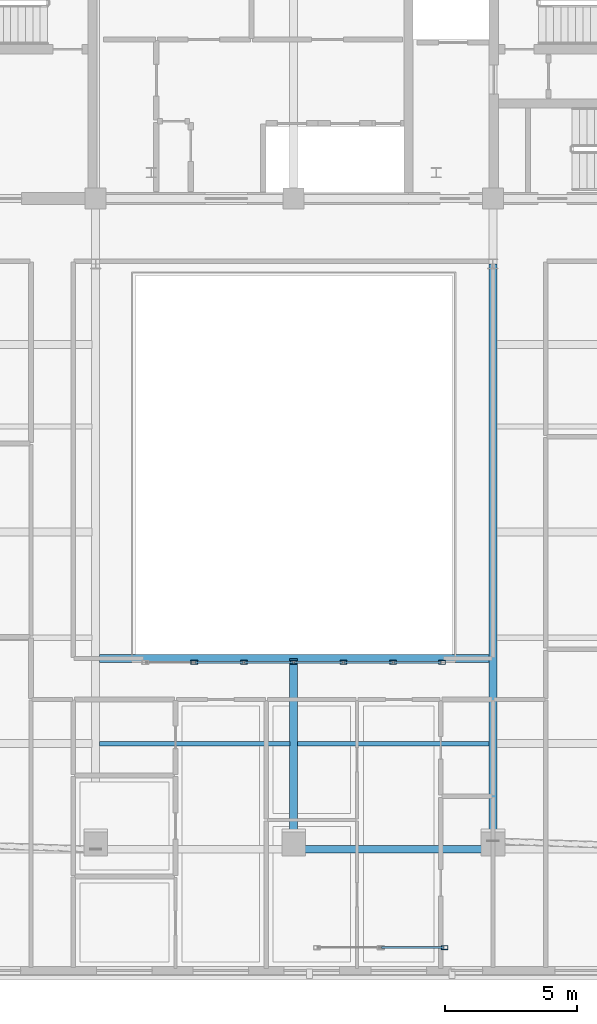
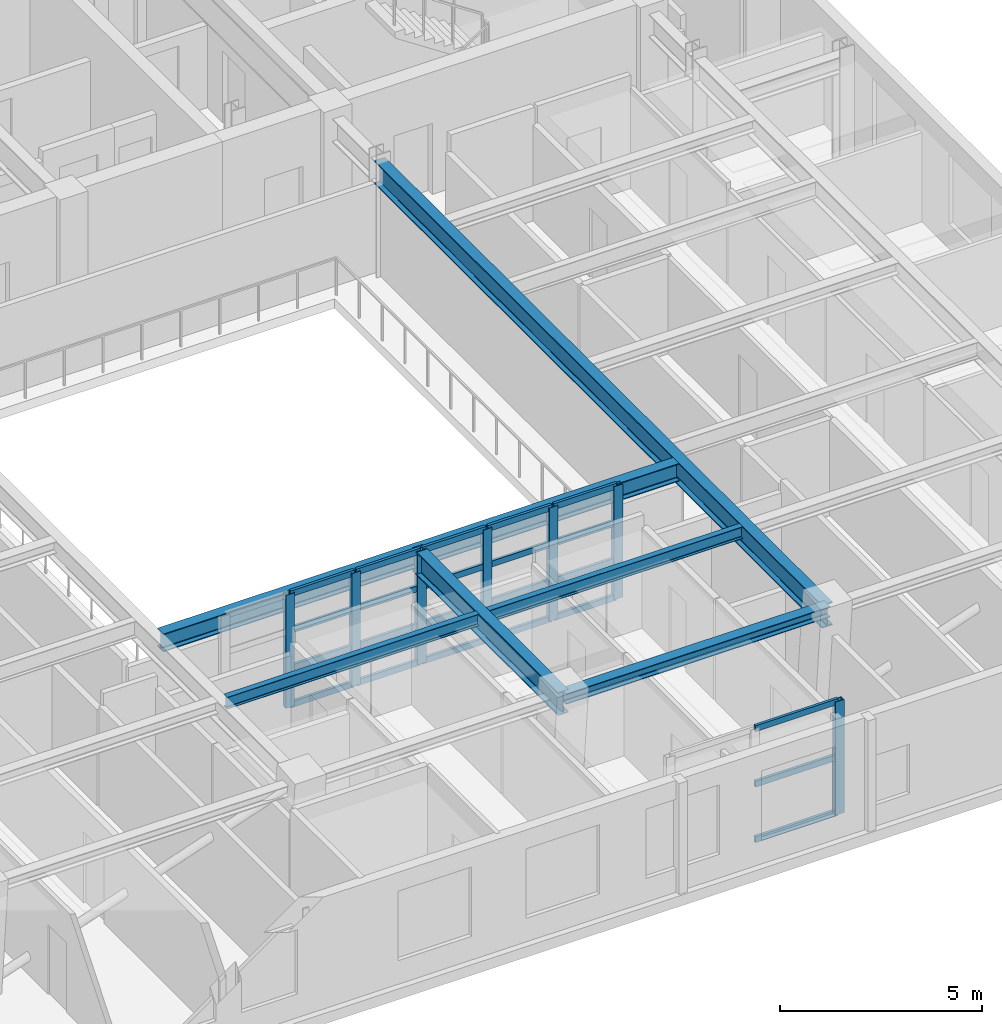
# One storey, part 3 of 14: 30 members, 6 beams, 2 elements without a shape of their own.
"""IFC4 building model written with IfcOpenShell, lengths in metres."""

from ifc_helpers import new_model, si_unit, direction, frame, origin, origin_2d, place, context, subcontext, project, spatial, hollow_rectangle, i_section, extrude, material, layer, layer_set, material_profile, profile_set, type_object, element, aggregate, save


model = new_model("IFC4")

# Units and contexts
model_context = context("Model", 3, precision=1e-05, world=origin(), true_north=direction((0.0, 1.0)))
body_context = subcontext(model_context, "Body", "Model", "MODEL_VIEW")
ifc_project = project(units=[si_unit("LENGTHUNIT", "METRE"), si_unit("AREAUNIT", "SQUARE_METRE"), si_unit("VOLUMEUNIT", "CUBIC_METRE"), si_unit("PLANEANGLEUNIT", "RADIAN"), si_unit("MASSUNIT", "GRAM", prefix="KILO")], contexts=[model_context])

# Site, building, storey
site_placement = place(None, origin())
site = spatial("IfcSite", under=ifc_project, at=site_placement, CompositionType="ELEMENT")
building_placement = place(site_placement, origin())
building = spatial("IfcBuilding", under=site, at=building_placement, Name="Zarnavel Station Tower", CompositionType="ELEMENT")
storey_placement = place(building_placement, frame((0.0, 0.0, 251.0)))
storey = spatial("IfcBuildingStorey", under=building, at=storey_placement, Name="L68", CompositionType="ELEMENT", Elevation=251.0)

# Curtain wall, member
ifc_material_1 = material(Name="Aluminium Dark Anodised and Solar-Control Glass", Category="aluminium")
ifc_layer = layer(ifc_material_1, 0.179931640625)
ifc_layer_set = layer_set([ifc_layer], Name="CWS6")
curtain_wall_type = type_object("IfcCurtainWallType", Name="CWS6", PredefinedType="NOTDEFINED", material=ifc_layer_set)
curtain_wall_1_placement = place(storey_placement, origin())
curtain_wall_1 = element("IfcCurtainWall", 1, at=curtain_wall_1_placement, inside=storey, type_object=curtain_wall_type, Name="L68 Curtain Wall CWS6-LOG-L68", PredefinedType="NOTDEFINED")
ifc_material_2 = material(Name="Steel S355J2 (Black Fluoropolymer Coated)", Category="steel")
ifc_material_profile_1 = material_profile(ifc_material_2, hollow_rectangle(XDim=0.14990234375, YDim=0.25, WallThickness=0.010009765625, at=origin_2d()), Name="RHS250x150x10")
ifc_profile_set_1 = profile_set([ifc_material_profile_1], Name="Steel S355J2 (Black Fluoropolymer Coated)")
member_type_1 = type_object("IfcMemberType", Name="CWS6_MUL", PredefinedType="MULLION", material=ifc_profile_set_1)
member_1_placement = place(storey_placement, frame((34.52001953125, -0.550048828125, 0.0), z_axis=(0.0, 0.0, 1.0), x_axis=(0.0, 1.0, 0.0)))
member_1 = element("IfcMember", 2, at=member_1_placement, type_object=member_type_1, Name="CW6 mullion 3", PredefinedType="MULLION", context=body_context, shape_type="SweptSolid", body=[
    extrude(hollow_rectangle(XDim=0.14990234375, YDim=0.25, WallThickness=0.010009765625, at=origin_2d()), origin(), (0.0, 0.0, 1.0), 3.419921875),
])

# Curtain wall, members
curtain_wall_2_placement = place(storey_placement, origin())
curtain_wall_2 = element("IfcCurtainWall", 3, at=curtain_wall_2_placement, inside=storey, type_object=curtain_wall_type, Name="L68 Curtain Wall CWS6-L68-AS", PredefinedType="NOTDEFINED")
member_2_placement = place(storey_placement, frame((25.033447265625, 10.25, 0.0), z_axis=(0.0, 0.0, 1.0), x_axis=(0.0, 1.0, 0.0)))
member_2 = element("IfcMember", 4, at=member_2_placement, type_object=member_type_1, Name="CW6 mullion 2", PredefinedType="MULLION", context=body_context, shape_type="SweptSolid", body=[
    extrude(hollow_rectangle(XDim=0.14990234375, YDim=0.25, WallThickness=0.010009765625, at=origin_2d()), origin(), (0.0, 0.0, 1.0), 3.419921875),
])
member_3_placement = place(storey_placement, frame((26.916748046875, 10.25, 0.0), z_axis=(0.0, 0.0, 1.0), x_axis=(0.0, 1.0, 0.0)))
member_3 = element("IfcMember", 5, at=member_3_placement, type_object=member_type_1, Name="CW6 mullion 3", PredefinedType="MULLION", context=body_context, shape_type="SweptSolid", body=[
    extrude(hollow_rectangle(XDim=0.14990234375, YDim=0.25, WallThickness=0.010009765625, at=origin_2d()), origin(), (0.0, 0.0, 1.0), 3.419921875),
])
member_4_placement = place(storey_placement, frame((28.800048828125, 10.25, 0.0), z_axis=(0.0, 0.0, 1.0), x_axis=(0.0, 1.0, 0.0)))
member_4 = element("IfcMember", 6, at=member_4_placement, type_object=member_type_1, Name="CW6 mullion 4", PredefinedType="MULLION", context=body_context, shape_type="SweptSolid", body=[
    extrude(hollow_rectangle(XDim=0.14990234375, YDim=0.25, WallThickness=0.010009765625, at=origin_2d()), origin(), (0.0, 0.0, 1.0), 3.419921875),
])
member_5_placement = place(storey_placement, frame((30.683349609375, 10.25, 0.0), z_axis=(0.0, 0.0, 1.0), x_axis=(0.0, 1.0, 0.0)))
member_5 = element("IfcMember", 7, at=member_5_placement, type_object=member_type_1, Name="CW6 mullion 5", PredefinedType="MULLION", context=body_context, shape_type="SweptSolid", body=[
    extrude(hollow_rectangle(XDim=0.14990234375, YDim=0.25, WallThickness=0.010009765625, at=origin_2d()), origin(), (0.0, 0.0, 1.0), 3.419921875),
])
member_6_placement = place(storey_placement, frame((32.566650390625, 10.25, 0.0), z_axis=(0.0, 0.0, 1.0), x_axis=(0.0, 1.0, 0.0)))
member_6 = element("IfcMember", 8, at=member_6_placement, type_object=member_type_1, Name="CW6 mullion 6", PredefinedType="MULLION", context=body_context, shape_type="SweptSolid", body=[
    extrude(hollow_rectangle(XDim=0.14990234375, YDim=0.25, WallThickness=0.010009765625, at=origin_2d()), origin(), (0.0, 0.0, 1.0), 3.419921875),
])
member_7_placement = place(storey_placement, frame((34.419921875, 10.25, 0.0), z_axis=(0.0, 0.0, 1.0), x_axis=(0.0, 1.0, 0.0)))
member_7 = element("IfcMember", 9, at=member_7_placement, type_object=member_type_1, Name="CW6 mullion 7", PredefinedType="MULLION", context=body_context, shape_type="SweptSolid", body=[
    extrude(hollow_rectangle(XDim=0.14990234375, YDim=0.25, WallThickness=0.010009765625, at=origin_2d()), origin(), (0.0, 0.0, 1.0), 3.419921875),
])

# Member
ifc_material_3 = material(Name="Steel S355J2 (Black Fluoropolymer Coated)", Category="steel")
ifc_material_profile_2 = material_profile(ifc_material_3, hollow_rectangle(XDim=0.080078125, YDim=0.179931640625, WallThickness=0.00634765625, at=origin_2d()), Name="RHS180x80x6.3")
ifc_profile_set_2 = profile_set([ifc_material_profile_2], Name="Steel S355J2 (Black Fluoropolymer Coated)")
member_type_2 = type_object("IfcMemberType", Name="CWS6_TRN", PredefinedType="USERDEFINED", material=ifc_profile_set_2)
member_8_placement = place(storey_placement, frame((32.1298828125, -0.550048828125, 0.030029296875), z_axis=(1.0, 0.0, 0.0), x_axis=(0.0, 1.0, 0.0)))
member_8 = element("IfcMember", 10, at=member_8_placement, type_object=member_type_2, Name="CW6 transom 2.1", ObjectType="TRANSOM", PredefinedType="USERDEFINED", context=body_context, shape_type="SweptSolid", body=[
    extrude(hollow_rectangle(XDim=0.080078125, YDim=0.179931640625, WallThickness=0.00634765625, at=origin_2d()), origin(), (0.0, 0.0, 1.0), 2.360107421875),
])

member_9_placement = place(storey_placement, frame((32.1298828125, -0.550048828125, 1.7099609375), z_axis=(1.0, 0.0, 0.0), x_axis=(0.0, 1.0, 0.0)))
member_9 = element("IfcMember", 11, at=member_9_placement, type_object=member_type_2, Name="CW6 transom 2.2", ObjectType="TRANSOM", PredefinedType="USERDEFINED", context=body_context, shape_type="SweptSolid", body=[
    extrude(hollow_rectangle(XDim=0.080078125, YDim=0.179931640625, WallThickness=0.00634765625, at=origin_2d()), origin(), (0.0, 0.0, 1.0), 2.360107421875),
])

member_10_placement = place(storey_placement, frame((32.1298828125, -0.550048828125, 3.389892578125), z_axis=(1.0, 0.0, 0.0), x_axis=(0.0, 1.0, 0.0)))
member_10 = element("IfcMember", 12, at=member_10_placement, type_object=member_type_2, Name="CW6 transom 2.3", ObjectType="TRANSOM", PredefinedType="USERDEFINED", context=body_context, shape_type="SweptSolid", body=[
    extrude(hollow_rectangle(XDim=0.080078125, YDim=0.179931640625, WallThickness=0.00634765625, at=origin_2d()), origin(), (0.0, 0.0, 1.0), 2.360107421875),
])

aggregate(curtain_wall_1, [member_1, member_8, member_9, member_10])

member_11_placement = place(storey_placement, frame((25.063232421875, 10.25, 0.030029296875), z_axis=(1.0, 0.0, 0.0), x_axis=(0.0, 1.0, 0.0)))
member_11 = element("IfcMember", 13, at=member_11_placement, type_object=member_type_2, Name="CW6 transom 2.1", ObjectType="TRANSOM", PredefinedType="USERDEFINED", context=body_context, shape_type="SweptSolid", body=[
    extrude(hollow_rectangle(XDim=0.080078125, YDim=0.179931640625, WallThickness=0.00634765625, at=origin_2d()), origin(), (0.0, 0.0, 1.0), 1.823486328125),
])

member_12_placement = place(storey_placement, frame((25.063232421875, 10.25, 1.139892578125), z_axis=(1.0, 0.0, 0.0), x_axis=(0.0, 1.0, 0.0)))
member_12 = element("IfcMember", 14, at=member_12_placement, type_object=member_type_2, Name="CW6 transom 2.2", ObjectType="TRANSOM", PredefinedType="USERDEFINED", context=body_context, shape_type="SweptSolid", body=[
    extrude(hollow_rectangle(XDim=0.080078125, YDim=0.179931640625, WallThickness=0.00634765625, at=origin_2d()), origin(), (0.0, 0.0, 1.0), 1.823486328125),
])

member_13_placement = place(storey_placement, frame((25.063232421875, 10.25, 2.280029296875), z_axis=(1.0, 0.0, 0.0), x_axis=(0.0, 1.0, 0.0)))
member_13 = element("IfcMember", 15, at=member_13_placement, type_object=member_type_2, Name="CW6 transom 2.3", ObjectType="TRANSOM", PredefinedType="USERDEFINED", context=body_context, shape_type="SweptSolid", body=[
    extrude(hollow_rectangle(XDim=0.080078125, YDim=0.179931640625, WallThickness=0.00634765625, at=origin_2d()), origin(), (0.0, 0.0, 1.0), 1.823486328125),
])

member_14_placement = place(storey_placement, frame((25.063232421875, 10.25, 3.389892578125), z_axis=(1.0, 0.0, 0.0), x_axis=(0.0, 1.0, 0.0)))
member_14 = element("IfcMember", 16, at=member_14_placement, type_object=member_type_2, Name="CW6 transom 2.4", ObjectType="TRANSOM", PredefinedType="USERDEFINED", context=body_context, shape_type="SweptSolid", body=[
    extrude(hollow_rectangle(XDim=0.080078125, YDim=0.179931640625, WallThickness=0.00634765625, at=origin_2d()), origin(), (0.0, 0.0, 1.0), 1.823486328125),
])

member_15_placement = place(storey_placement, frame((26.94677734375, 10.25, 0.030029296875), z_axis=(1.0, 0.0, 0.0), x_axis=(0.0, 1.0, 0.0)))
member_15 = element("IfcMember", 17, at=member_15_placement, type_object=member_type_2, Name="CW6 transom 3.1", ObjectType="TRANSOM", PredefinedType="USERDEFINED", context=body_context, shape_type="SweptSolid", body=[
    extrude(hollow_rectangle(XDim=0.080078125, YDim=0.179931640625, WallThickness=0.00634765625, at=origin_2d()), origin(), (0.0, 0.0, 1.0), 1.8232421875),
])

member_16_placement = place(storey_placement, frame((26.94677734375, 10.25, 1.139892578125), z_axis=(1.0, 0.0, 0.0), x_axis=(0.0, 1.0, 0.0)))
member_16 = element("IfcMember", 18, at=member_16_placement, type_object=member_type_2, Name="CW6 transom 3.2", ObjectType="TRANSOM", PredefinedType="USERDEFINED", context=body_context, shape_type="SweptSolid", body=[
    extrude(hollow_rectangle(XDim=0.080078125, YDim=0.179931640625, WallThickness=0.00634765625, at=origin_2d()), origin(), (0.0, 0.0, 1.0), 1.8232421875),
])

member_17_placement = place(storey_placement, frame((26.94677734375, 10.25, 2.280029296875), z_axis=(1.0, 0.0, 0.0), x_axis=(0.0, 1.0, 0.0)))
member_17 = element("IfcMember", 19, at=member_17_placement, type_object=member_type_2, Name="CW6 transom 3.3", ObjectType="TRANSOM", PredefinedType="USERDEFINED", context=body_context, shape_type="SweptSolid", body=[
    extrude(hollow_rectangle(XDim=0.080078125, YDim=0.179931640625, WallThickness=0.00634765625, at=origin_2d()), origin(), (0.0, 0.0, 1.0), 1.8232421875),
])

member_18_placement = place(storey_placement, frame((26.94677734375, 10.25, 3.389892578125), z_axis=(1.0, 0.0, 0.0), x_axis=(0.0, 1.0, 0.0)))
member_18 = element("IfcMember", 20, at=member_18_placement, type_object=member_type_2, Name="CW6 transom 3.4", ObjectType="TRANSOM", PredefinedType="USERDEFINED", context=body_context, shape_type="SweptSolid", body=[
    extrude(hollow_rectangle(XDim=0.080078125, YDim=0.179931640625, WallThickness=0.00634765625, at=origin_2d()), origin(), (0.0, 0.0, 1.0), 1.8232421875),
])

member_19_placement = place(storey_placement, frame((28.830078125, 10.25, 0.030029296875), z_axis=(1.0, 0.0, 0.0), x_axis=(0.0, 1.0, 0.0)))
member_19 = element("IfcMember", 21, at=member_19_placement, type_object=member_type_2, Name="CW6 transom 4.1", ObjectType="TRANSOM", PredefinedType="USERDEFINED", context=body_context, shape_type="SweptSolid", body=[
    extrude(hollow_rectangle(XDim=0.080078125, YDim=0.179931640625, WallThickness=0.00634765625, at=origin_2d()), origin(), (0.0, 0.0, 1.0), 1.8232421875),
])

member_20_placement = place(storey_placement, frame((28.830078125, 10.25, 1.139892578125), z_axis=(1.0, 0.0, 0.0), x_axis=(0.0, 1.0, 0.0)))
member_20 = element("IfcMember", 22, at=member_20_placement, type_object=member_type_2, Name="CW6 transom 4.2", ObjectType="TRANSOM", PredefinedType="USERDEFINED", context=body_context, shape_type="SweptSolid", body=[
    extrude(hollow_rectangle(XDim=0.080078125, YDim=0.179931640625, WallThickness=0.00634765625, at=origin_2d()), origin(), (0.0, 0.0, 1.0), 1.8232421875),
])

member_21_placement = place(storey_placement, frame((28.830078125, 10.25, 2.280029296875), z_axis=(1.0, 0.0, 0.0), x_axis=(0.0, 1.0, 0.0)))
member_21 = element("IfcMember", 23, at=member_21_placement, type_object=member_type_2, Name="CW6 transom 4.3", ObjectType="TRANSOM", PredefinedType="USERDEFINED", context=body_context, shape_type="SweptSolid", body=[
    extrude(hollow_rectangle(XDim=0.080078125, YDim=0.179931640625, WallThickness=0.00634765625, at=origin_2d()), origin(), (0.0, 0.0, 1.0), 1.8232421875),
])

member_22_placement = place(storey_placement, frame((28.830078125, 10.25, 3.389892578125), z_axis=(1.0, 0.0, 0.0), x_axis=(0.0, 1.0, 0.0)))
member_22 = element("IfcMember", 24, at=member_22_placement, type_object=member_type_2, Name="CW6 transom 4.4", ObjectType="TRANSOM", PredefinedType="USERDEFINED", context=body_context, shape_type="SweptSolid", body=[
    extrude(hollow_rectangle(XDim=0.080078125, YDim=0.179931640625, WallThickness=0.00634765625, at=origin_2d()), origin(), (0.0, 0.0, 1.0), 1.8232421875),
])

member_23_placement = place(storey_placement, frame((30.71337890625, 10.25, 0.030029296875), z_axis=(1.0, 0.0, 0.0), x_axis=(0.0, 1.0, 0.0)))
member_23 = element("IfcMember", 25, at=member_23_placement, type_object=member_type_2, Name="CW6 transom 5.1", ObjectType="TRANSOM", PredefinedType="USERDEFINED", context=body_context, shape_type="SweptSolid", body=[
    extrude(hollow_rectangle(XDim=0.080078125, YDim=0.179931640625, WallThickness=0.00634765625, at=origin_2d()), origin(), (0.0, 0.0, 1.0), 1.8232421875),
])

member_24_placement = place(storey_placement, frame((30.71337890625, 10.25, 1.139892578125), z_axis=(1.0, 0.0, 0.0), x_axis=(0.0, 1.0, 0.0)))
member_24 = element("IfcMember", 26, at=member_24_placement, type_object=member_type_2, Name="CW6 transom 5.2", ObjectType="TRANSOM", PredefinedType="USERDEFINED", context=body_context, shape_type="SweptSolid", body=[
    extrude(hollow_rectangle(XDim=0.080078125, YDim=0.179931640625, WallThickness=0.00634765625, at=origin_2d()), origin(), (0.0, 0.0, 1.0), 1.8232421875),
])

member_25_placement = place(storey_placement, frame((30.71337890625, 10.25, 2.280029296875), z_axis=(1.0, 0.0, 0.0), x_axis=(0.0, 1.0, 0.0)))
member_25 = element("IfcMember", 27, at=member_25_placement, type_object=member_type_2, Name="CW6 transom 5.3", ObjectType="TRANSOM", PredefinedType="USERDEFINED", context=body_context, shape_type="SweptSolid", body=[
    extrude(hollow_rectangle(XDim=0.080078125, YDim=0.179931640625, WallThickness=0.00634765625, at=origin_2d()), origin(), (0.0, 0.0, 1.0), 1.8232421875),
])

member_26_placement = place(storey_placement, frame((30.71337890625, 10.25, 3.389892578125), z_axis=(1.0, 0.0, 0.0), x_axis=(0.0, 1.0, 0.0)))
member_26 = element("IfcMember", 28, at=member_26_placement, type_object=member_type_2, Name="CW6 transom 5.4", ObjectType="TRANSOM", PredefinedType="USERDEFINED", context=body_context, shape_type="SweptSolid", body=[
    extrude(hollow_rectangle(XDim=0.080078125, YDim=0.179931640625, WallThickness=0.00634765625, at=origin_2d()), origin(), (0.0, 0.0, 1.0), 1.8232421875),
])

member_27_placement = place(storey_placement, frame((32.5966796875, 10.25, 0.030029296875), z_axis=(1.0, 0.0, 0.0), x_axis=(0.0, 1.0, 0.0)))
member_27 = element("IfcMember", 29, at=member_27_placement, type_object=member_type_2, Name="CW6 transom 6.1", ObjectType="TRANSOM", PredefinedType="USERDEFINED", context=body_context, shape_type="SweptSolid", body=[
    extrude(hollow_rectangle(XDim=0.080078125, YDim=0.179931640625, WallThickness=0.00634765625, at=origin_2d()), origin(), (0.0, 0.0, 1.0), 1.793212890625),
])

member_28_placement = place(storey_placement, frame((32.5966796875, 10.25, 1.139892578125), z_axis=(1.0, 0.0, 0.0), x_axis=(0.0, 1.0, 0.0)))
member_28 = element("IfcMember", 30, at=member_28_placement, type_object=member_type_2, Name="CW6 transom 6.2", ObjectType="TRANSOM", PredefinedType="USERDEFINED", context=body_context, shape_type="SweptSolid", body=[
    extrude(hollow_rectangle(XDim=0.080078125, YDim=0.179931640625, WallThickness=0.00634765625, at=origin_2d()), origin(), (0.0, 0.0, 1.0), 1.793212890625),
])

member_29_placement = place(storey_placement, frame((32.5966796875, 10.25, 2.280029296875), z_axis=(1.0, 0.0, 0.0), x_axis=(0.0, 1.0, 0.0)))
member_29 = element("IfcMember", 31, at=member_29_placement, type_object=member_type_2, Name="CW6 transom 6.3", ObjectType="TRANSOM", PredefinedType="USERDEFINED", context=body_context, shape_type="SweptSolid", body=[
    extrude(hollow_rectangle(XDim=0.080078125, YDim=0.179931640625, WallThickness=0.00634765625, at=origin_2d()), origin(), (0.0, 0.0, 1.0), 1.793212890625),
])

member_30_placement = place(storey_placement, frame((32.5966796875, 10.25, 3.389892578125), z_axis=(1.0, 0.0, 0.0), x_axis=(0.0, 1.0, 0.0)))
member_30 = element("IfcMember", 32, at=member_30_placement, type_object=member_type_2, Name="CW6 transom 6.4", ObjectType="TRANSOM", PredefinedType="USERDEFINED", context=body_context, shape_type="SweptSolid", body=[
    extrude(hollow_rectangle(XDim=0.080078125, YDim=0.179931640625, WallThickness=0.00634765625, at=origin_2d()), origin(), (0.0, 0.0, 1.0), 1.793212890625),
])

aggregate(curtain_wall_2, [member_2, member_3, member_4, member_5, member_6, member_7, member_11, member_12, member_13, member_14, member_15, member_16, member_17, member_18, member_19, member_20, member_21, member_22, member_23, member_24, member_25, member_26, member_27, member_28, member_29, member_30])

# Beams
ifc_material_4 = material(Name="Steel S355J2", Category="steel")
ifc_material_profile_3 = material_profile(ifc_material_4, i_section(OverallWidth=0.300048828125, OverallDepth=0.320068359375, WebThickness=0.011474609375, FlangeThickness=0.0205078125, FilletRadius=0.027099609375, at=origin_2d()), Name="HEB320")
ifc_profile_set_3 = profile_set([ifc_material_profile_3], Name="Steel S355J2")
beam_type_1 = type_object("IfcBeamType", Name="EB_HEB320", PredefinedType="SPANDREL", material=ifc_profile_set_3)
beam_1_placement = place(storey_placement, frame((28.800048828125, 3.17236328125, 3.260009765625), z_axis=(1.0, 0.0, 0.0), x_axis=(0.0, 1.0, 0.0)))
element("IfcBeam", 33, at=beam_1_placement, inside=storey, type_object=beam_type_1, Name="L68 South Raked Spandrel 3", PredefinedType="SPANDREL", context=body_context, shape_type="SweptSolid", body=[
    extrude(i_section(OverallWidth=0.300048828125, OverallDepth=0.320068359375, WebThickness=0.011474609375, FlangeThickness=0.0205078125, FilletRadius=0.027099609375, at=origin_2d()), origin(), (0.0, 0.0, 1.0), 7.550048828125),
])
ifc_material_5 = material(Name="Steel S355J2", Category="steel")
ifc_material_profile_4 = material_profile(ifc_material_5, i_section(OverallWidth=0.300048828125, OverallDepth=0.5400390625, WebThickness=0.012451171875, FlangeThickness=0.02392578125, FilletRadius=0.027099609375, at=origin_2d()), Name="HEA550")
ifc_profile_set_4 = profile_set([ifc_material_profile_4], Name="Steel S355J2")
beam_type_2 = type_object("IfcBeamType", Name="FB_HEA550", PredefinedType="BEAM", material=ifc_profile_set_4)
beam_2_placement = place(storey_placement, frame((21.445068359375, 10.39990234375, 3.14990234375), z_axis=(1.0, 0.0, 0.0), x_axis=(0.0, 1.0, 0.0)))
element("IfcBeam", 34, at=beam_2_placement, inside=storey, type_object=beam_type_2, Name="L68 Atrium South Edge Girder", PredefinedType="BEAM", context=body_context, shape_type="SweptSolid", body=[
    extrude(i_section(OverallWidth=0.300048828125, OverallDepth=0.5400390625, WebThickness=0.012451171875, FlangeThickness=0.02392578125, FilletRadius=0.027099609375, at=origin_2d()), origin(), (0.0, 0.0, 1.0), 14.760009765625),
])
ifc_material_6 = material(Name="Steel S355J2", Category="steel")
ifc_material_profile_5 = material_profile(ifc_material_6, i_section(OverallWidth=0.300048828125, OverallDepth=0.699951171875, WebThickness=0.01708984375, FlangeThickness=0.031982421875, FilletRadius=0.027099609375, at=origin_2d()), Name="HEB700")
ifc_profile_set_5 = profile_set([ifc_material_profile_5], Name="Steel S355J2")
beam_type_3 = type_object("IfcBeamType", Name="FG_HEB700", PredefinedType="USERDEFINED", material=ifc_profile_set_5)
beam_3_placement = place(storey_placement, frame((28.800048828125, 3.17236328125, 3.070068359375), z_axis=(0.0, 1.0, 0.0), x_axis=(-1.0, 0.0, 0.0)))
element("IfcBeam", 35, at=beam_3_placement, inside=storey, type_object=beam_type_3, Name="L68 Central Atrium-South Girder", ObjectType="GIRDER", PredefinedType="USERDEFINED", context=body_context, shape_type="SweptSolid", body=[
    extrude(i_section(OverallWidth=0.300048828125, OverallDepth=0.699951171875, WebThickness=0.01708984375, FlangeThickness=0.031982421875, FilletRadius=0.027099609375, at=origin_2d()), origin(), (0.0, 0.0, 1.0), 7.2275390625),
])
beam_4_placement = place(storey_placement, frame((36.35009765625, 3.17236328125, 3.070068359375), z_axis=(0.0, 1.0, 0.0), x_axis=(-1.0, 0.0, 0.0)))
element("IfcBeam", 36, at=beam_4_placement, inside=storey, type_object=beam_type_3, Name="L68 South-Zone NS Girder 4", ObjectType="GIRDER", PredefinedType="USERDEFINED", context=body_context, shape_type="SweptSolid", body=[
    extrude(i_section(OverallWidth=0.300048828125, OverallDepth=0.699951171875, WebThickness=0.01708984375, FlangeThickness=0.031982421875, FilletRadius=0.027099609375, at=origin_2d()), origin(), (0.0, 0.0, 1.0), 22.177734375),
])
ifc_material_7 = material(Name="Steel S355J2", Category="steel")
ifc_material_profile_6 = material_profile(ifc_material_7, i_section(OverallWidth=0.169921875, OverallDepth=0.360107421875, WebThickness=0.008056640625, FlangeThickness=0.0126953125, FilletRadius=0.01806640625, at=origin_2d()), Name="IPE360")
ifc_profile_set_6 = profile_set([ifc_material_profile_6], Name="Steel S355J2")
beam_type_4 = type_object("IfcBeamType", Name="FJ_IPE360", PredefinedType="JOIST", material=ifc_profile_set_6)
beam_5_placement = place(storey_placement, frame((21.445068359375, 7.177001953125, 3.239990234375), z_axis=(1.0, 0.0, 0.0), x_axis=(0.0, 1.0, 0.0)))
element("IfcBeam", 37, at=beam_5_placement, inside=storey, type_object=beam_type_4, Name="L68 Mid-West Joist 1", PredefinedType="JOIST", context=body_context, shape_type="SweptSolid", body=[
    extrude(i_section(OverallWidth=0.169921875, OverallDepth=0.360107421875, WebThickness=0.008056640625, FlangeThickness=0.0126953125, FilletRadius=0.01806640625, at=origin_2d()), origin(), (0.0, 0.0, 1.0), 7.2099609375),
])
beam_6_placement = place(storey_placement, frame((28.945068359375, 7.177001953125, 3.239990234375), z_axis=(1.0, 0.0, 0.0), x_axis=(0.0, 1.0, 0.0)))
element("IfcBeam", 38, at=beam_6_placement, inside=storey, type_object=beam_type_4, Name="L68 Mid-East Joist 1", PredefinedType="JOIST", context=body_context, shape_type="SweptSolid", body=[
    extrude(i_section(OverallWidth=0.169921875, OverallDepth=0.360107421875, WebThickness=0.008056640625, FlangeThickness=0.0126953125, FilletRadius=0.01806640625, at=origin_2d()), origin(), (0.0, 0.0, 1.0), 7.260009765625),
])

save(model, "model.ifc")
